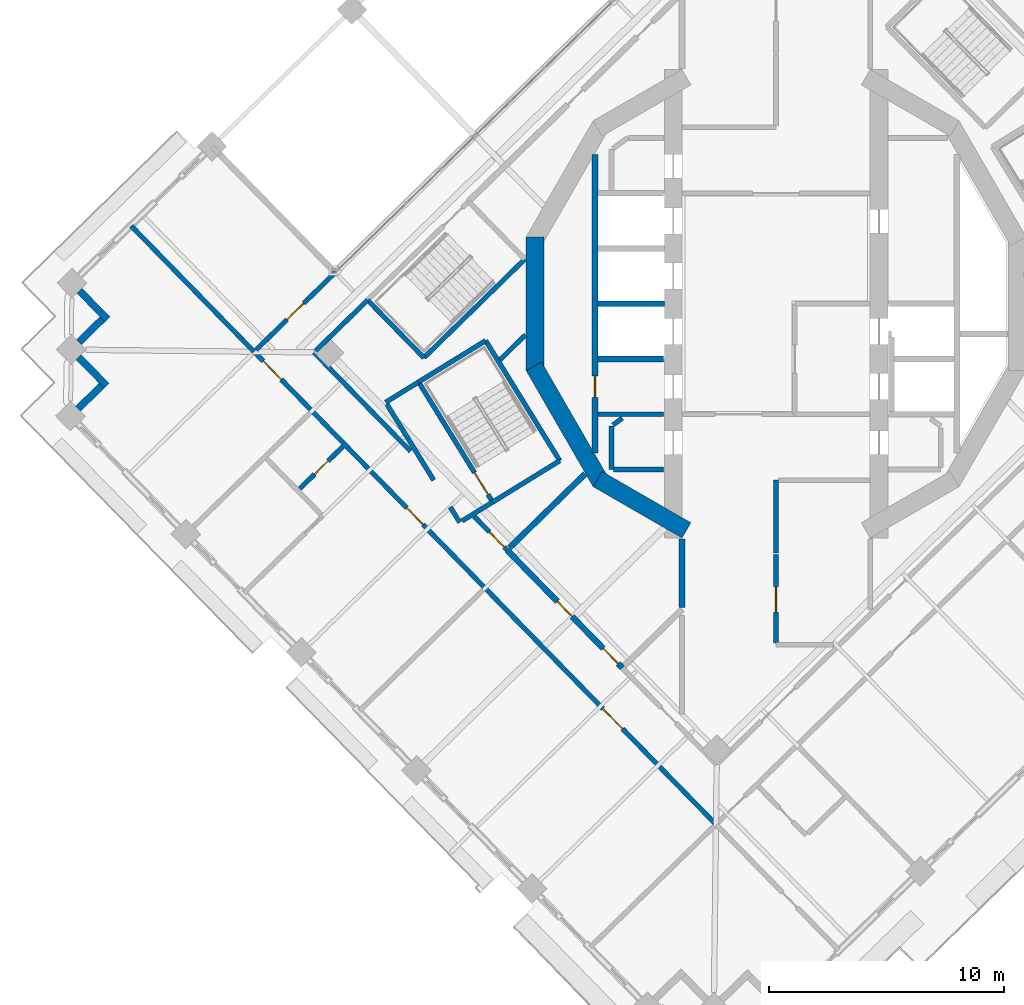
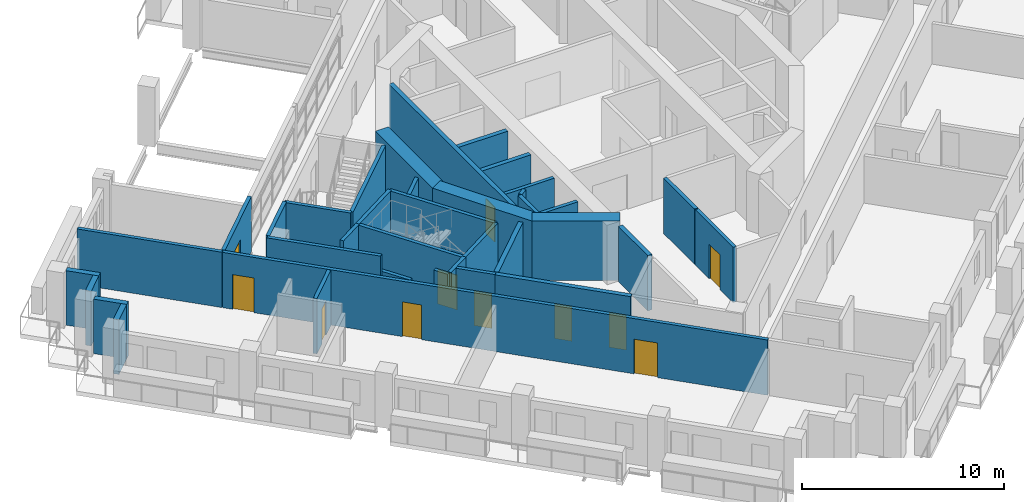
# One storey, part 8 of 21: 37 walls, 11 doors, 11 openings.
"""IFC4 building model written with IfcOpenShell, lengths in metres."""

import ifcopenshell
import ifcopenshell.guid

model = None  # the IFC model being written
_history = None  # IfcOwnerHistory: only IFC2X3 demands one
_inside = {}  # id of a spatial element -> (the spatial element, [elements in it])
_under = {}  # id of a project, library or spatial element -> (it, [spatial elements below it])
_declared = {}  # id of a project -> (the project, [libraries it declares])
_typed = {}  # id of a type object -> (the type object, [elements of that type])
_made_of = {}  # id of a material, layer set ... -> (it, [elements and type objects made of it])


def new_model(schema):
    """Start an empty IFC model of exactly this schema.

    Asked for "IFC4X3", IfcOpenShell would pick the latest addendum, in which some entities
    have other attributes; the version numbers below select the first issue.
    IFC2X3 requires an IfcOwnerHistory on every rooted entity: one is made here for all.
    """
    global model, _history
    if schema == "IFC4X3":
        model = ifcopenshell.file(schema_version=(4, 3, 0, 0))
    else:
        model = ifcopenshell.file(schema=schema)
    _inside.clear()
    _under.clear()
    _declared.clear()
    _typed.clear()
    _made_of.clear()
    _history = None
    if model.schema == "IFC2X3":
        org = make("IfcOrganization", Name="unknown")
        user = make(
            "IfcPersonAndOrganization",
            ThePerson=make("IfcPerson", FamilyName="unknown"),
            TheOrganization=org,
        )
        app = make(
            "IfcApplication",
            ApplicationDeveloper=org,
            Version="unknown",
            ApplicationFullName="unknown",
            ApplicationIdentifier="unknown",
        )
        _history = make(
            "IfcOwnerHistory",
            OwningUser=user,
            OwningApplication=app,
            ChangeAction="ADDED",
            CreationDate=0,
        )
    return model


def make(cls, **values):
    """One entity of the class cls with the attributes given. An attribute that is None is left unset."""
    return model.create_entity(
        cls, **{name: value for name, value in values.items() if value is not None}
    )


def rooted(cls, **values):
    """An entity with a GlobalId (a new one), such as an element, a storey or a relation."""
    return make(cls, GlobalId=ifcopenshell.guid.new(), OwnerHistory=_history, **values)


def si_unit(unit_type, name, prefix=None):
    """IfcSIUnit, for example si_unit("LENGTHUNIT", "METRE", prefix="MILLI")."""
    return make("IfcSIUnit", UnitType=unit_type, Prefix=prefix, Name=name)


def assignment(units):
    """IfcUnitAssignment: the units of a project."""
    return None if units is None else make("IfcUnitAssignment", Units=units)


def point(xyz):
    """IfcCartesianPoint."""
    return None if xyz is None else make("IfcCartesianPoint", Coordinates=xyz)


def direction(xyz):
    """IfcDirection."""
    return None if xyz is None else make("IfcDirection", DirectionRatios=xyz)


def frame(location, z_axis=None, x_axis=None):
    """IfcAxis2Placement3D, a coordinate frame: its origin and axes. An axis left out is left unset."""
    return make(
        "IfcAxis2Placement3D",
        Location=point(location),
        Axis=direction(z_axis),
        RefDirection=direction(x_axis),
    )


def frame_2d(location, x_axis=None):
    """IfcAxis2Placement2D, a coordinate frame in the plane: its origin and x axis."""
    return make(
        "IfcAxis2Placement2D", Location=point(location), RefDirection=direction(x_axis)
    )


def origin():
    """The frame at (0, 0, 0) with its axes left unset."""
    return frame((0.0, 0.0, 0.0))


def place(relative_to, where):
    """IfcLocalPlacement: puts the frame where relative to a parent placement (None: the world)."""
    return make(
        "IfcLocalPlacement", PlacementRelTo=relative_to, RelativePlacement=where
    )


def context(
    kind, dimensions, precision=None, world=None, true_north=None, identifier=None
):
    """IfcGeometricRepresentationContext, for example the 3D "Model" context."""
    return make(
        "IfcGeometricRepresentationContext",
        ContextIdentifier=identifier,
        ContextType=kind,
        CoordinateSpaceDimension=dimensions,
        Precision=precision,
        WorldCoordinateSystem=world,
        TrueNorth=true_north,
    )


def subcontext(parent, identifier, kind, view, scale=None):
    """IfcGeometricRepresentationSubContext, for example "Body" below "Model"."""
    return make(
        "IfcGeometricRepresentationSubContext",
        ContextIdentifier=identifier,
        ContextType=kind,
        ParentContext=parent,
        TargetScale=scale,
        TargetView=view,
    )


def project(units=None, contexts=None):
    """IfcProject with its units and contexts."""
    return rooted(
        "IfcProject",
        Name="project",
        RepresentationContexts=contexts,
        UnitsInContext=assignment(units),
    )


def spatial(cls, under=None, at=None, **own):
    """A site, building, storey or space (cls), placed at a placement, below another one or the project."""
    s = rooted(cls, ObjectPlacement=at, **own)
    if under is not None:
        _under.setdefault(under.id(), (under, []))[1].append(s)
    return s


def profile(cls, at=None, kind="AREA", **sizes):
    """A parametric profile (cls). Its sizes go by their IFC names, for example OverallWidth=200.0."""
    return make(cls, ProfileType=kind, Position=at, **sizes)


def rectangle(**sizes):
    """IfcRectangleProfileDef."""
    return profile("IfcRectangleProfileDef", **sizes)


def extrude(swept, where, along, depth):
    """IfcExtrudedAreaSolid: the profile swept, set in the frame where, extruded along a direction by depth."""
    return make(
        "IfcExtrudedAreaSolid",
        SweptArea=swept,
        Position=where,
        ExtrudedDirection=direction(along),
        Depth=depth,
    )


def shape(context_of_items, identifier, shape_type, items):
    """IfcShapeRepresentation: the items that make up one representation, for example the "Body"."""
    return make(
        "IfcShapeRepresentation",
        ContextOfItems=context_of_items,
        RepresentationIdentifier=identifier,
        RepresentationType=shape_type,
        Items=items,
    )


def material(Name=None, Category=None):
    """IfcMaterial."""
    return make("IfcMaterial", Name=Name, Category=Category)


def layer(
    of_material, thickness, ventilated=None, Name=None, Category=None, Priority=None
):
    """IfcMaterialLayer: one layer of a wall or slab, of a material (None: an air gap)."""
    return make(
        "IfcMaterialLayer",
        Material=of_material,
        LayerThickness=thickness,
        IsVentilated=ventilated,
        Name=Name,
        Category=Category,
        Priority=Priority,
    )


def layer_set(layers, Name=None):
    """IfcMaterialLayerSet."""
    return make("IfcMaterialLayerSet", MaterialLayers=layers, LayerSetName=Name)


def made_of(thing, what):
    """Note that an element or type object is made of a material, layer set ...; save() writes the relation."""
    if what is not None:
        _made_of.setdefault(what.id(), (what, []))[1].append(thing)
    return thing


def type_object(cls, material=None, **own):
    """A type object (cls), such as IfcWallType, which elements share."""
    return made_of(rooted(cls, **own), material)


def element(
    cls,
    number,
    at=None,
    inside=None,
    cuts=None,
    type_object=None,
    material=None,
    context=None,
    identifier="Body",
    shape_type=None,
    held_by="IfcProductDefinitionShape",
    body=None,
    shapes=None,
    **own,
):
    """One element of the class cls, such as IfcWall. Its Tag is "e" and its number.

    at: its placement. inside: the storey or other place that contains it. cuts: it is an
    opening in that element (IfcRelVoidsElement). A single representation is given by context,
    identifier, shape_type and body (its items); several are given by shapes. held_by: the class
    of the entity that holds the representations. save() writes the other relations.
    """
    e = rooted(cls, Tag="e%d" % number, ObjectPlacement=at, **own)
    if body is not None:
        shapes = [shape(context, identifier, shape_type, body)]
    if shapes is not None:
        e.Representation = make(held_by, Representations=shapes)
    if inside is not None:
        _inside.setdefault(inside.id(), (inside, []))[1].append(e)
    if cuts is not None:
        rooted(
            "IfcRelVoidsElement", RelatingBuildingElement=cuts, RelatedOpeningElement=e
        )
    if type_object is not None:
        _typed.setdefault(type_object.id(), (type_object, []))[1].append(e)
    return made_of(e, material)


def fill(opening, filler):
    """IfcRelFillsElement: the door or window that sits in an opening."""
    return rooted(
        "IfcRelFillsElement",
        RelatingOpeningElement=opening,
        RelatedBuildingElement=filler,
    )


def aggregate(whole, parts):
    """IfcRelAggregates: a whole, such as a stair, and the parts it consists of."""
    return rooted("IfcRelAggregates", RelatingObject=whole, RelatedObjects=parts)


def save(model, path):
    """Write the relations noted so far, then the file.

    IfcRelAggregates (storeys below a building ...), IfcRelContainedInSpatialStructure (elements
    in a storey), IfcRelDefinesByType, IfcRelAssociatesMaterial and IfcRelDeclares: one each for
    every whole, place, type object, material and project.
    """
    for whole, parts in _under.values():
        aggregate(whole, parts)
    for where, things in _inside.values():
        rooted(
            "IfcRelContainedInSpatialStructure",
            RelatedElements=things,
            RelatingStructure=where,
        )
    for kind, things in _typed.values():
        rooted("IfcRelDefinesByType", RelatedObjects=things, RelatingType=kind)
    for what, things in _made_of.values():
        rooted("IfcRelAssociatesMaterial", RelatedObjects=things, RelatingMaterial=what)
    for by, libraries in _declared.values():
        rooted("IfcRelDeclares", RelatingContext=by, RelatedDefinitions=libraries)
    model.write(path)


model = new_model("IFC4")

# Units and contexts
model_context = context("Model", 3, precision=1e-05, world=origin(), true_north=direction((0.0, 1.0)))
body_context = subcontext(model_context, "Body", "Model", "MODEL_VIEW")
ifc_project = project(units=[si_unit("LENGTHUNIT", "METRE"), si_unit("AREAUNIT", "SQUARE_METRE"), si_unit("VOLUMEUNIT", "CUBIC_METRE"), si_unit("PLANEANGLEUNIT", "RADIAN"), si_unit("MASSUNIT", "GRAM", prefix="KILO")], contexts=[model_context])

# Site, building, storey
site_placement = place(None, origin())
site = spatial("IfcSite", under=ifc_project, at=site_placement, CompositionType="ELEMENT")
building_placement = place(site_placement, origin())
building = spatial("IfcBuilding", under=site, at=building_placement, Name="Cantera Rosa Tower", CompositionType="ELEMENT")
storey_placement = place(building_placement, frame((0.0, 0.0, 230.60009765625)))
storey = spatial("IfcBuildingStorey", under=building, at=storey_placement, Name="L50", CompositionType="ELEMENT", Elevation=230.60009765625)

# Wall
ifc_material_1 = material(Name="Gypsum board partition")
ifc_layer_1 = layer(ifc_material_1, 0.199951171875)
ifc_layer_set_1 = layer_set([ifc_layer_1], Name="CORRIDOR WALL 200 H2300")
wall_type_1 = type_object("IfcWallType", Name="CORRIDOR WALL 200 H2300", PredefinedType="PARTITIONING", material=ifc_layer_set_1)
wall_1_placement = place(storey_placement, frame((-16.548095703125, -4.274658203125, 0.0), z_axis=(0.0, 0.0, 1.0), x_axis=(0.524970357961, -0.851120510423, 0.0)))
element("IfcWall", 1, at=wall_1_placement, inside=storey, type_object=wall_type_1, Name="CORRIDOR WALL L50-011", PredefinedType="PARTITIONING", context=body_context, shape_type="SweptSolid", body=[
    extrude(rectangle(XDim=3.790771484375, YDim=0.199951171875, at=frame_2d((1.8955078125, 0.0))), origin(), (0.0, 0.0, 1.0), 2.2998046875),
])

# Wall, openings, doors
ifc_material_2 = material(Name="Gypsum board partition")
ifc_layer_2 = layer(ifc_material_2, 0.199951171875)
ifc_layer_set_2 = layer_set([ifc_layer_2], Name="CORRIDOR WALL 200 H3350")
wall_type_2 = type_object("IfcWallType", Name="CORRIDOR WALL 200 H3350", PredefinedType="PARTITIONING", material=ifc_layer_set_2)
wall_2_placement = place(storey_placement, frame((-22.17919921875, -2.05419921875, 0.0), z_axis=(0.0, 0.0, 1.0), x_axis=(0.698829646007, -0.715288141844, 0.0)))
wall_2 = element("IfcWall", 2, at=wall_2_placement, inside=storey, type_object=wall_type_2, Name="CORRIDOR WALL L50-004", PredefinedType="PARTITIONING", context=body_context, shape_type="SweptSolid", body=[
    extrude(rectangle(XDim=28.080322265625, YDim=0.199951171875, at=frame_2d((14.0400390625, 0.0))), origin(), (0.0, 0.0, 1.0), 3.349853515625),
])
opening_1_placement = place(wall_2_placement, frame((21.199951171875, 0.0, 0.0)))
opening_1 = element("IfcOpeningElement", 3, at=opening_1_placement, cuts=wall_2, Name="Opening L50-038", PredefinedType="OPENING", context=body_context, shape_type="SweptSolid", body=[
    extrude(rectangle(XDim=1.199951171875, YDim=2.10009765625, at=frame_2d((0.60009765625, 1.050048828125))), frame((0.0, 0.10986328125, 0.0), z_axis=(0.0, -1.0, 0.0), x_axis=(1.0, 0.0, 0.0)), (0.0, 0.0, 1.0), 0.219970703125),
])
opening_2_placement = place(wall_2_placement, frame((9.264892578125, 0.0, 0.0)))
opening_2 = element("IfcOpeningElement", 4, at=opening_2_placement, cuts=wall_2, Name="Opening L50-039", PredefinedType="OPENING", context=body_context, shape_type="SweptSolid", body=[
    extrude(rectangle(XDim=1.0, YDim=2.10009765625, at=frame_2d((0.5, 1.050048828125))), frame((0.0, 0.10986328125, 0.0), z_axis=(0.0, -1.0, 0.0), x_axis=(1.0, 0.0, 0.0)), (0.0, 0.0, 1.0), 0.219970703125),
])
opening_3_placement = place(wall_2_placement, frame((0.530029296875, 0.0, 0.0)))
opening_3 = element("IfcOpeningElement", 5, at=opening_3_placement, cuts=wall_2, Name="Opening L50-042", PredefinedType="OPENING", context=body_context, shape_type="SweptSolid", body=[
    extrude(rectangle(XDim=1.10009765625, YDim=2.10009765625, at=frame_2d((0.550048828125, 1.050048828125))), frame((0.0, 0.10986328125, 0.0), z_axis=(0.0, -1.0, 0.0), x_axis=(1.0, 0.0, 0.0)), (0.0, 0.0, 1.0), 0.219970703125),
])
ifc_material_3 = material(Name="Timber door leaf", Category="wood")
door_type_1 = type_object("IfcDoorType", Name="ENTRANCE DOOR 1000x2100", OperationType="NOTDEFINED", PredefinedType="DOOR", material=ifc_material_3)
door_1_placement = place(opening_2_placement, origin())
door_1 = element("IfcDoor", 6, at=door_1_placement, inside=storey, type_object=door_type_1, Name="DOOR L50-039", OperationType="NOTDEFINED", OverallHeight=2.10009765625, OverallWidth=1.0, PredefinedType="DOOR", context=body_context, shape_type="SweptSolid", body=[
    extrude(rectangle(XDim=1.0, YDim=2.10009765625, at=frame_2d((0.5, 1.050048828125))), frame((0.0, 0.02490234375, 0.0), z_axis=(0.0, -1.0, 0.0), x_axis=(1.0, 0.0, 0.0)), (0.0, 0.0, 1.0), 0.050048828125),
])
fill(opening_2, door_1)
ifc_material_4 = material(Name="Timber door leaf", Category="wood")
door_type_2 = type_object("IfcDoorType", Name="ROOM DOOR 1100x2100", OperationType="NOTDEFINED", PredefinedType="DOOR", material=ifc_material_4)
door_2_placement = place(opening_3_placement, origin())
door_2 = element("IfcDoor", 7, at=door_2_placement, inside=storey, type_object=door_type_2, Name="DOOR L50-042", OperationType="NOTDEFINED", OverallHeight=2.10009765625, OverallWidth=1.10009765625, PredefinedType="DOOR", context=body_context, shape_type="SweptSolid", body=[
    extrude(rectangle(XDim=1.10009765625, YDim=2.10009765625, at=frame_2d((0.550048828125, 1.050048828125))), frame((0.0, 0.02490234375, 0.0), z_axis=(0.0, -1.0, 0.0), x_axis=(1.0, 0.0, 0.0)), (0.0, 0.0, 1.0), 0.050048828125),
])
fill(opening_3, door_2)
ifc_material_5 = material(Name="Timber door leaf", Category="wood")
door_type_3 = type_object("IfcDoorType", Name="ROOM DOOR 1200x2100", OperationType="NOTDEFINED", PredefinedType="DOOR", material=ifc_material_5)
door_3_placement = place(opening_1_placement, origin())
door_3 = element("IfcDoor", 8, at=door_3_placement, inside=storey, type_object=door_type_3, Name="DOOR L50-038", OperationType="NOTDEFINED", OverallHeight=2.10009765625, OverallWidth=1.199951171875, PredefinedType="DOOR", context=body_context, shape_type="SweptSolid", body=[
    extrude(rectangle(XDim=1.199951171875, YDim=2.10009765625, at=frame_2d((0.60009765625, 1.050048828125))), frame((0.0, 0.02490234375, 0.0), z_axis=(0.0, -1.0, 0.0), x_axis=(1.0, 0.0, 0.0)), (0.0, 0.0, 1.0), 0.050048828125),
])
fill(opening_1, door_3)

# Walls
wall_3_placement = place(storey_placement, frame((-19.647705078125, -2.069580078125, 0.0), z_axis=(0.0, 0.0, 1.0), x_axis=(0.698845926006, -0.715272236079, 0.0)))
element("IfcWall", 9, at=wall_3_placement, inside=storey, type_object=wall_type_2, Name="CORRIDOR WALL L50-005", PredefinedType="PARTITIONING", context=body_context, shape_type="SweptSolid", body=[
    extrude(rectangle(XDim=5.870849609375, YDim=0.199951171875, at=frame_2d((2.935546875, 0.0))), origin(), (0.0, 0.0, 1.0), 3.349853515625),
])
wall_4_placement = place(storey_placement, frame((-17.36962890625, 0.156005859375, 0.0), z_axis=(0.0, 0.0, 1.0), x_axis=(-0.715289693103, -0.69882805821, 0.0)))
element("IfcWall", 10, at=wall_4_placement, inside=storey, type_object=wall_type_2, Name="CORRIDOR WALL L50-009", PredefinedType="PARTITIONING", context=body_context, shape_type="SweptSolid", body=[
    extrude(rectangle(XDim=3.084716796875, YDim=0.199951171875, at=frame_2d((1.54248046875, 0.0))), origin(), (0.0, 0.0, 1.0), 3.349853515625),
])
wall_5_placement = place(storey_placement, frame((-16.6005859375, -4.189697265625, 0.0), z_axis=(0.0, 0.0, 1.0), x_axis=(0.8510360128, 0.525107327047, 0.0)))
element("IfcWall", 11, at=wall_5_placement, inside=storey, type_object=wall_type_2, Name="CORRIDOR WALL L50-010", PredefinedType="PARTITIONING", context=body_context, shape_type="SweptSolid", body=[
    extrude(rectangle(XDim=1.64501953125, YDim=0.199951171875, at=frame_2d((0.822509765625, 0.0))), origin(), (0.0, 0.0, 1.0), 3.349853515625),
])
wall_6_placement = place(storey_placement, frame((-13.8525390625, -8.64501953125, 0.0), z_axis=(0.0, 0.0, 1.0), x_axis=(0.52482706305, -0.851208877944, 0.0)))
element("IfcWall", 12, at=wall_6_placement, inside=storey, type_object=wall_type_2, Name="CORRIDOR WALL L50-012", PredefinedType="PARTITIONING", context=body_context, shape_type="SweptSolid", body=[
    extrude(rectangle(XDim=0.76513671875, YDim=0.199951171875, at=frame_2d((0.382568359375, 0.0))), origin(), (0.0, 0.0, 1.0), 3.349853515625),
])
wall_7_placement = place(storey_placement, frame((-13.3486328125, -9.2333984375, 0.0), z_axis=(0.0, 0.0, 1.0), x_axis=(0.851042101438, 0.525097459126, 0.0)))
element("IfcWall", 13, at=wall_7_placement, inside=storey, type_object=wall_type_2, Name="CORRIDOR WALL L50-015", PredefinedType="PARTITIONING", context=body_context, shape_type="SweptSolid", body=[
    extrude(rectangle(XDim=1.52490234375, YDim=0.199951171875, at=frame_2d((0.762451171875, 0.0))), origin(), (0.0, 0.0, 1.0), 3.349853515625),
])

# Wall, opening, door
wall_8_placement = place(storey_placement, frame((-12.828125, -9.0498046875, 0.0), z_axis=(0.0, 0.0, 1.0), x_axis=(0.698907294962, -0.715212271322, 0.0)))
wall_8 = element("IfcWall", 14, at=wall_8_placement, inside=storey, type_object=wall_type_2, Name="CORRIDOR WALL L50-017", PredefinedType="PARTITIONING", context=body_context, shape_type="SweptSolid", body=[
    extrude(rectangle(XDim=1.991455078125, YDim=0.199951171875, at=frame_2d((0.99560546875, 0.0))), origin(), (0.0, 0.0, 1.0), 3.349853515625),
])
opening_4_placement = place(wall_8_placement, frame((0.908203125, 0.0, 0.0)))
opening_4 = element("IfcOpeningElement", 15, at=opening_4_placement, cuts=wall_8, Name="Opening L50-009", PredefinedType="OPENING", context=body_context, shape_type="SweptSolid", body=[
    extrude(rectangle(XDim=0.89990234375, YDim=2.10009765625, at=frame_2d((0.449951171875, 1.050048828125))), frame((0.0, 0.10986328125, 0.0), z_axis=(0.0, -1.0, 0.0), x_axis=(1.0, 0.0, 0.0)), (0.0, 0.0, 1.0), 0.219970703125),
])
ifc_material_6 = material(Name="Timber door leaf", Category="wood")
door_type_4 = type_object("IfcDoorType", Name="SERVICE DOOR 900x2100", OperationType="NOTDEFINED", PredefinedType="DOOR", material=ifc_material_6)
door_4_placement = place(opening_4_placement, origin())
door_4 = element("IfcDoor", 16, at=door_4_placement, inside=storey, type_object=door_type_4, Name="DOOR L50-009", OperationType="NOTDEFINED", OverallHeight=2.10009765625, OverallWidth=0.89990234375, PredefinedType="DOOR", context=body_context, shape_type="SweptSolid", body=[
    extrude(rectangle(XDim=0.89990234375, YDim=2.10009765625, at=frame_2d((0.449951171875, 1.050048828125))), frame((0.0, 0.02490234375, 0.0), z_axis=(0.0, -1.0, 0.0), x_axis=(1.0, 0.0, 0.0)), (0.0, 0.0, 1.0), 0.050048828125),
])
fill(opening_4, door_4)

wall_9_placement = place(storey_placement, frame((0.0, -10.6552734375, 0.0), z_axis=(0.0, 0.0, 1.0), x_axis=(0.0, -1.0, 0.0)))
wall_9 = element("IfcWall", 17, at=wall_9_placement, inside=storey, type_object=wall_type_2, Name="CORRIDOR WALL L50-057", PredefinedType="PARTITIONING", context=body_context, shape_type="SweptSolid", body=[
    extrude(rectangle(XDim=3.7646484375, YDim=0.199951171875, at=frame_2d((1.88232421875, 0.0))), origin(), (0.0, 0.0, 1.0), 3.349853515625),
])
opening_5_placement = place(wall_9_placement, frame((1.372314453125, 0.0, 0.0)))
opening_5 = element("IfcOpeningElement", 18, at=opening_5_placement, cuts=wall_9, Name="Opening L50-019", PredefinedType="OPENING", context=body_context, shape_type="SweptSolid", body=[
    extrude(rectangle(XDim=1.10009765625, YDim=2.10009765625, at=frame_2d((0.550048828125, 1.050048828125))), frame((0.0, 0.10986328125, 0.0), z_axis=(0.0, -1.0, 0.0), x_axis=(1.0, 0.0, 0.0)), (0.0, 0.0, 1.0), 0.219970703125),
])
door_5_placement = place(opening_5_placement, origin())
door_5 = element("IfcDoor", 19, at=door_5_placement, inside=storey, type_object=door_type_2, Name="DOOR L50-019", OperationType="NOTDEFINED", OverallHeight=2.10009765625, OverallWidth=1.10009765625, PredefinedType="DOOR", context=body_context, shape_type="SweptSolid", body=[
    extrude(rectangle(XDim=1.10009765625, YDim=2.10009765625, at=frame_2d((0.550048828125, 1.050048828125))), frame((0.0, 0.02490234375, 0.0), z_axis=(0.0, -1.0, 0.0), x_axis=(1.0, 0.0, 0.0)), (0.0, 0.0, 1.0), 0.050048828125),
])
fill(opening_5, door_5)

# Wall
wall_10_placement = place(storey_placement, frame((0.0, -7.5, 0.0), z_axis=(0.0, 0.0, 1.0), x_axis=(0.0, -1.0, 0.0)))
element("IfcWall", 20, at=wall_10_placement, inside=storey, type_object=wall_type_2, Name="CORRIDOR WALL L50-058", PredefinedType="PARTITIONING", context=body_context, shape_type="SweptSolid", body=[
    extrude(rectangle(XDim=3.09521484375, YDim=0.199951171875, at=frame_2d((1.547607421875, 0.0))), origin(), (0.0, 0.0, 1.0), 3.349853515625),
])

# Wall, opening, door
wall_11_placement = place(storey_placement, frame((-18.656005859375, 1.415771484375, 0.0), z_axis=(0.0, 0.0, 1.0), x_axis=(-0.715256178236, -0.698862360908, 0.0)))
wall_11 = element("IfcWall", 21, at=wall_11_placement, inside=storey, type_object=wall_type_2, Name="CORRIDOR WALL L50-069", PredefinedType="PARTITIONING", context=body_context, shape_type="SweptSolid", body=[
    extrude(rectangle(XDim=4.8251953125, YDim=0.199951171875, at=frame_2d((2.41259765625, 0.0))), origin(), (0.0, 0.0, 1.0), 3.349853515625),
])
opening_6_placement = place(wall_11_placement, frame((1.9951171875, 0.0, 0.0)))
opening_6 = element("IfcOpeningElement", 22, at=opening_6_placement, cuts=wall_11, Name="Opening L50-037", PredefinedType="OPENING", context=body_context, shape_type="SweptSolid", body=[
    extrude(rectangle(XDim=1.0, YDim=2.10009765625, at=frame_2d((0.5, 1.050048828125))), frame((0.0, 0.10986328125, 0.0), z_axis=(0.0, -1.0, 0.0), x_axis=(1.0, 0.0, 0.0)), (0.0, 0.0, 1.0), 0.219970703125),
])
ifc_material_7 = material(Name="Timber door leaf", Category="wood")
door_type_5 = type_object("IfcDoorType", Name="ROOM DOOR 1000x2100", OperationType="NOTDEFINED", PredefinedType="DOOR", material=ifc_material_7)
door_6_placement = place(opening_6_placement, origin())
door_6 = element("IfcDoor", 23, at=door_6_placement, inside=storey, type_object=door_type_5, Name="DOOR L50-037", OperationType="NOTDEFINED", OverallHeight=2.10009765625, OverallWidth=1.0, PredefinedType="DOOR", context=body_context, shape_type="SweptSolid", body=[
    extrude(rectangle(XDim=1.0, YDim=2.10009765625, at=frame_2d((0.5, 1.050048828125))), frame((0.0, 0.02490234375, 0.0), z_axis=(0.0, -1.0, 0.0), x_axis=(1.0, 0.0, 0.0)), (0.0, 0.0, 1.0), 0.050048828125),
])
fill(opening_6, door_6)

# Walls
ifc_material_8 = material(Name="Hollow clay masonry with cantera stone cladding", Category="masonry")
ifc_layer_3 = layer(ifc_material_8, 0.300048828125)
ifc_layer_set_3 = layer_set([ifc_layer_3], Name="EW-LOGGIA 300")
wall_type_3 = type_object("IfcWallType", Name="EW-LOGGIA 300", PredefinedType="SOLIDWALL", material=ifc_layer_set_3)
wall_12_placement = place(storey_placement, frame((-29.623291015625, 0.556884765625, 0.0), z_axis=(0.0, 0.0, 1.0), x_axis=(0.69880105094, -0.715316077832, 0.0)))
element("IfcWall", 24, at=wall_12_placement, inside=storey, type_object=wall_type_3, Name="EN-L50-W12a", PredefinedType="SOLIDWALL", context=body_context, shape_type="SweptSolid", body=[
    extrude(rectangle(XDim=1.699951171875, YDim=0.300048828125, at=frame_2d((0.85009765625, 0.0))), origin(), (0.0, 0.0, 1.0), 3.2998046875),
])
wall_13_placement = place(storey_placement, frame((-28.6474609375, -0.65673828125, 0.0), z_axis=(0.0, 0.0, 1.0), x_axis=(-0.715341715727, -0.698774806172, 0.0)))
element("IfcWall", 25, at=wall_13_placement, inside=storey, type_object=wall_type_3, Name="EN-L50-W12b", PredefinedType="SOLIDWALL", context=body_context, shape_type="SweptSolid", body=[
    extrude(rectangle(XDim=1.39990234375, YDim=0.300048828125, at=frame_2d((0.699951171875, 0.0))), origin(), (0.0, 0.0, 1.0), 3.2998046875),
])
wall_14_placement = place(storey_placement, frame((-29.65625, -2.271484375, 0.0), z_axis=(0.0, 0.0, 1.0), x_axis=(0.698872839675, -0.715245939495, 0.0)))
element("IfcWall", 26, at=wall_14_placement, inside=storey, type_object=wall_type_3, Name="EN-L50-W13a", PredefinedType="SOLIDWALL", context=body_context, shape_type="SweptSolid", body=[
    extrude(rectangle(XDim=1.699951171875, YDim=0.300048828125, at=frame_2d((0.85009765625, 0.0))), origin(), (0.0, 0.0, 1.0), 3.2998046875),
])
wall_15_placement = place(storey_placement, frame((-28.680419921875, -3.48486328125, 0.0), z_axis=(0.0, 0.0, 1.0), x_axis=(-0.71516937164, -0.698951192766, 0.0)))
element("IfcWall", 27, at=wall_15_placement, inside=storey, type_object=wall_type_3, Name="EN-L50-W13b", PredefinedType="SOLIDWALL", context=body_context, shape_type="SweptSolid", body=[
    extrude(rectangle(XDim=1.39990234375, YDim=0.300048828125, at=frame_2d((0.699951171875, 0.0))), origin(), (0.0, 0.0, 1.0), 3.2998046875),
])
ifc_material_9 = material(Name="Gypsum board partition")
ifc_layer_4 = layer(ifc_material_9, 0.199951171875)
ifc_layer_set_4 = layer_set([ifc_layer_4], Name="PARTITION 200 H3350")
wall_type_4 = type_object("IfcWallType", Name="PARTITION 200 H3350", PredefinedType="PARTITIONING", material=ifc_layer_set_4)
wall_16_placement = place(storey_placement, frame((-22.193115234375, -2.0400390625, 0.0), z_axis=(0.0, 0.0, 1.0), x_axis=(-0.69882275932, 0.715294870006, 0.0)))
element("IfcWall", 28, at=wall_16_placement, inside=storey, type_object=wall_type_4, Name="PARTITION L50-003", PredefinedType="PARTITIONING", context=body_context, shape_type="SweptSolid", body=[
    extrude(rectangle(XDim=7.469970703125, YDim=0.199951171875, at=frame_2d((3.73486328125, 0.0))), origin(), (0.0, 0.0, 1.0), 3.349853515625),
])

# Wall, opening, door
wall_17_placement = place(storey_placement, frame((-18.42138671875, -6.072265625, 0.0), z_axis=(0.0, 0.0, 1.0), x_axis=(-0.715260872502, -0.698857556493, 0.0)))
wall_17 = element("IfcWall", 29, at=wall_17_placement, inside=storey, type_object=wall_type_4, Name="PARTITION L50-008", PredefinedType="PARTITIONING", context=body_context, shape_type="SweptSolid", body=[
    extrude(rectangle(XDim=2.56005859375, YDim=0.199951171875, at=frame_2d((1.280029296875, 0.0))), origin(), (0.0, 0.0, 1.0), 3.349853515625),
])
opening_7_placement = place(wall_17_placement, frame((0.8798828125, 0.0, 0.0)))
opening_7 = element("IfcOpeningElement", 30, at=opening_7_placement, cuts=wall_17, Name="Opening L50-040", PredefinedType="OPENING", context=body_context, shape_type="SweptSolid", body=[
    extrude(rectangle(XDim=0.800048828125, YDim=2.10009765625, at=frame_2d((0.39990234375, 1.050048828125))), frame((0.0, 0.10986328125, 0.0), z_axis=(0.0, -1.0, 0.0), x_axis=(1.0, 0.0, 0.0)), (0.0, 0.0, 1.0), 0.219970703125),
])
ifc_material_10 = material(Name="Timber door leaf", Category="wood")
door_type_6 = type_object("IfcDoorType", Name="BATHROOM DOOR 800x2100", OperationType="NOTDEFINED", PredefinedType="DOOR", material=ifc_material_10)
door_7_placement = place(opening_7_placement, origin())
door_7 = element("IfcDoor", 31, at=door_7_placement, inside=storey, type_object=door_type_6, Name="DOOR L50-040", OperationType="NOTDEFINED", OverallHeight=2.10009765625, OverallWidth=0.800048828125, PredefinedType="DOOR", context=body_context, shape_type="SweptSolid", body=[
    extrude(rectangle(XDim=0.800048828125, YDim=2.10009765625, at=frame_2d((0.39990234375, 1.050048828125))), frame((0.0, 0.02490234375, 0.0), z_axis=(0.0, -1.0, 0.0), x_axis=(1.0, 0.0, 0.0)), (0.0, 0.0, 1.0), 0.050048828125),
])
fill(opening_7, door_7)

# Walls
wall_18_placement = place(storey_placement, frame((-11.73486328125, -2.377685546875, 0.0), z_axis=(0.0, 0.0, 1.0), x_axis=(0.715227626276, 0.698891581443, 0.0)))
element("IfcWall", 32, at=wall_18_placement, inside=storey, type_object=wall_type_4, Name="PARTITION L50-022", PredefinedType="PARTITIONING", context=body_context, shape_type="SweptSolid", body=[
    extrude(rectangle(XDim=1.509521484375, YDim=0.199951171875, at=frame_2d((0.7548828125, 0.0))), origin(), (0.0, 0.0, 1.0), 3.349853515625),
])
wall_19_placement = place(storey_placement, frame((-7.0, -7.050048828125, 0.0), z_axis=(0.0, 0.0, 1.0), x_axis=(0.0, 1.0, 0.0)))
element("IfcWall", 33, at=wall_19_placement, inside=storey, type_object=wall_type_4, Name="PARTITION L50-035", PredefinedType="PARTITIONING", context=body_context, shape_type="SweptSolid", body=[
    extrude(rectangle(XDim=1.85009765625, YDim=0.199951171875, at=frame_2d((0.925048828125, 0.0))), origin(), (0.0, 0.0, 1.0), 3.349853515625),
])
wall_20_placement = place(storey_placement, frame((-6.935302734375, -5.15283203125, 0.0), z_axis=(0.0, 0.0, 1.0), x_axis=(0.808368872862, 0.588676282338, 0.0)))
element("IfcWall", 34, at=wall_20_placement, inside=storey, type_object=wall_type_4, Name="PARTITION L50-036", PredefinedType="PARTITIONING", context=body_context, shape_type="SweptSolid", body=[
    extrude(rectangle(XDim=0.489013671875, YDim=0.199951171875, at=frame_2d((0.24462890625, 0.0))), origin(), (0.0, 0.0, 1.0), 3.349853515625),
])
wall_21_placement = place(storey_placement, frame((-4.780029296875, -7.050048828125, 0.0), z_axis=(0.0, 0.0, 1.0), x_axis=(-1.0, 0.0, 0.0)))
element("IfcWall", 35, at=wall_21_placement, inside=storey, type_object=wall_type_4, Name="PARTITION L50-043", PredefinedType="PARTITIONING", context=body_context, shape_type="SweptSolid", body=[
    extrude(rectangle(XDim=2.139892578125, YDim=0.199951171875, at=frame_2d((1.06982421875, 0.0))), origin(), (0.0, 0.0, 1.0), 3.349853515625),
])
wall_22_placement = place(storey_placement, frame((-4.780029296875, -4.699951171875, 0.0), z_axis=(0.0, 0.0, 1.0), x_axis=(-1.0, 0.0, 0.0)))
element("IfcWall", 36, at=wall_22_placement, inside=storey, type_object=wall_type_4, Name="PARTITION L50-044", PredefinedType="PARTITIONING", context=body_context, shape_type="SweptSolid", body=[
    extrude(rectangle(XDim=2.794921875, YDim=0.199951171875, at=frame_2d((1.3974609375, 0.0))), origin(), (0.0, 0.0, 1.0), 3.349853515625),
])
ifc_material_11 = material(Name="Concrete C60/75", Category="concrete")
ifc_layer_5 = layer(ifc_material_11, 0.75)
ifc_layer_set_5 = layer_set([ifc_layer_5], Name="RC CORE WALL 750 C60/75")
wall_type_5 = type_object("IfcWallType", Name="RC CORE WALL 750 C60/75", PredefinedType="SHEAR", material=ifc_layer_set_5)
wall_23_placement = place(storey_placement, frame((-3.8125, -9.634765625, 0.0), z_axis=(0.0, 0.0, 1.0), x_axis=(-0.866013176292, 0.50002117804, 0.0)))
element("IfcWall", 37, at=wall_23_placement, inside=storey, type_object=wall_type_5, Name="CW-W1 L50", PredefinedType="SHEAR", context=body_context, shape_type="SweptSolid", body=[
    extrude(rectangle(XDim=4.362548828125, YDim=0.75, at=frame_2d((2.18115234375, 0.0))), origin(), (0.0, 0.0, 1.0), 3.599853515625),
])
wall_24_placement = place(storey_placement, frame((-7.453369140625, -7.590576171875, 0.0), z_axis=(0.0, 0.0, 1.0), x_axis=(-0.500021842983, 0.866012792365, 0.0)))
element("IfcWall", 38, at=wall_24_placement, inside=storey, type_object=wall_type_5, Name="CW-W2 L50", PredefinedType="SHEAR", context=body_context, shape_type="SweptSolid", body=[
    extrude(rectangle(XDim=5.694091796875, YDim=0.75, at=frame_2d((2.84716796875, 0.0))), origin(), (0.0, 0.0, 1.0), 3.599853515625),
])
wall_25_placement = place(storey_placement, frame((-10.250244140625, -2.846923828125, 0.0), z_axis=(0.0, 0.0, 1.0), x_axis=(0.0, 1.0, 0.0)))
element("IfcWall", 39, at=wall_25_placement, inside=storey, type_object=wall_type_5, Name="CW-W3 L50", PredefinedType="SHEAR", context=body_context, shape_type="SweptSolid", body=[
    extrude(rectangle(XDim=5.69384765625, YDim=0.75, at=frame_2d((2.846923828125, 0.0))), origin(), (0.0, 0.0, 1.0), 3.599853515625),
])

# Wall, openings, doors
ifc_material_12 = material(Name="Masonry blockwork", Category="masonry")
ifc_layer_6 = layer(ifc_material_12, 0.25)
ifc_layer_set_6 = layer_set([ifc_layer_6], Name="SHAFT WALL 250 H3350")
wall_type_6 = type_object("IfcWallType", Name="SHAFT WALL 250 H3350", PredefinedType="SOLIDWALL", material=ifc_layer_set_6)
wall_26_placement = place(storey_placement, frame((-11.42236328125, -10.488525390625, 0.0), z_axis=(0.0, 0.0, 1.0), x_axis=(0.698839423539, -0.715278589158, 0.0)))
wall_26 = element("IfcWall", 40, at=wall_26_placement, inside=storey, type_object=wall_type_6, Name="SHAFT WALL L50-023", PredefinedType="SOLIDWALL", context=body_context, shape_type="SweptSolid", body=[
    extrude(rectangle(XDim=6.97998046875, YDim=0.25, at=frame_2d((3.489990234375, 0.0))), origin(), (0.0, 0.0, 1.0), 3.349853515625),
])
opening_8_placement = place(wall_26_placement, frame((5.830078125, 0.0, 0.0)))
opening_8 = element("IfcOpeningElement", 41, at=opening_8_placement, cuts=wall_26, Name="Opening L50-010", PredefinedType="OPENING", context=body_context, shape_type="SweptSolid", body=[
    extrude(rectangle(XDim=0.89990234375, YDim=2.10009765625, at=frame_2d((0.449951171875, 1.050048828125))), frame((0.0, 0.135009765625, 0.0), z_axis=(0.0, -1.0, 0.0), x_axis=(1.0, 0.0, 0.0)), (0.0, 0.0, 1.0), 0.27001953125),
])
opening_9_placement = place(wall_26_placement, frame((3.030029296875, 0.0, 0.0)))
opening_9 = element("IfcOpeningElement", 42, at=opening_9_placement, cuts=wall_26, Name="Opening L50-052", PredefinedType="OPENING", context=body_context, shape_type="SweptSolid", body=[
    extrude(rectangle(XDim=0.89990234375, YDim=2.10009765625, at=frame_2d((0.449951171875, 1.050048828125))), frame((0.0, 0.135009765625, 0.0), z_axis=(0.0, -1.0, 0.0), x_axis=(1.0, 0.0, 0.0)), (0.0, 0.0, 1.0), 0.27001953125),
])
door_8_placement = place(opening_8_placement, origin())
door_8 = element("IfcDoor", 43, at=door_8_placement, inside=storey, type_object=door_type_4, Name="RISER DOOR L50-010", OperationType="NOTDEFINED", OverallHeight=2.10009765625, OverallWidth=0.89990234375, PredefinedType="DOOR", context=body_context, shape_type="SweptSolid", body=[
    extrude(rectangle(XDim=0.89990234375, YDim=2.10009765625, at=frame_2d((0.449951171875, 1.050048828125))), frame((0.0, 0.02490234375, 0.0), z_axis=(0.0, -1.0, 0.0), x_axis=(1.0, 0.0, 0.0)), (0.0, 0.0, 1.0), 0.050048828125),
])
fill(opening_8, door_8)
door_9_placement = place(opening_9_placement, origin())
door_9 = element("IfcDoor", 44, at=door_9_placement, inside=storey, type_object=door_type_4, Name="RISER DOOR L50-052", OperationType="NOTDEFINED", OverallHeight=2.10009765625, OverallWidth=0.89990234375, PredefinedType="DOOR", context=body_context, shape_type="SweptSolid", body=[
    extrude(rectangle(XDim=0.89990234375, YDim=2.10009765625, at=frame_2d((0.449951171875, 1.050048828125))), frame((0.0, 0.02490234375, 0.0), z_axis=(0.0, -1.0, 0.0), x_axis=(1.0, 0.0, 0.0)), (0.0, 0.0, 1.0), 0.050048828125),
])
fill(opening_9, door_9)

# Walls
wall_27_placement = place(storey_placement, frame((-8.12451171875, -7.238525390625, 0.0), z_axis=(0.0, 0.0, 1.0), x_axis=(-0.715269352267, -0.698848877589, 0.0)))
element("IfcWall", 45, at=wall_27_placement, inside=storey, type_object=wall_type_6, Name="SHAFT WALL L50-027", PredefinedType="SOLIDWALL", context=body_context, shape_type="SweptSolid", body=[
    extrude(rectangle(XDim=4.490234375, YDim=0.25, at=frame_2d((2.2451171875, 0.0))), origin(), (0.0, 0.0, 1.0), 3.349853515625),
])
wall_28_placement = place(storey_placement, frame((-7.574951171875, -2.35009765625, 0.0), z_axis=(0.0, 0.0, 1.0), x_axis=(1.0, 0.0, 0.0)))
element("IfcWall", 46, at=wall_28_placement, inside=storey, type_object=wall_type_6, Name="SHAFT WALL L50-029", PredefinedType="SOLIDWALL", context=body_context, shape_type="SweptSolid", body=[
    extrude(rectangle(XDim=2.794921875, YDim=0.25, at=frame_2d((1.3974609375, 0.0))), origin(), (0.0, 0.0, 1.0), 3.349853515625),
])
wall_29_placement = place(storey_placement, frame((-7.574951171875, 0.0, 0.0), z_axis=(0.0, 0.0, 1.0), x_axis=(1.0, 0.0, 0.0)))
element("IfcWall", 47, at=wall_29_placement, inside=storey, type_object=wall_type_6, Name="SHAFT WALL L50-030", PredefinedType="SOLIDWALL", context=body_context, shape_type="SweptSolid", body=[
    extrude(rectangle(XDim=2.824951171875, YDim=0.25, at=frame_2d((1.41259765625, 0.0))), origin(), (0.0, 0.0, 1.0), 3.349853515625),
])

# Wall, opening, door
wall_30_placement = place(storey_placement, frame((-7.699951171875, 6.353515625, 0.0), z_axis=(0.0, 0.0, 1.0), x_axis=(0.0, -1.0, 0.0)))
wall_30 = element("IfcWall", 48, at=wall_30_placement, inside=storey, type_object=wall_type_6, Name="SHAFT WALL L50-033", PredefinedType="SOLIDWALL", context=body_context, shape_type="SweptSolid", body=[
    extrude(rectangle(XDim=12.70703125, YDim=0.25, at=frame_2d((6.353515625, 0.0))), origin(), (0.0, 0.0, 1.0), 3.349853515625),
])
opening_10_placement = place(wall_30_placement, frame((9.4287109375, 0.0, 0.0)))
opening_10 = element("IfcOpeningElement", 49, at=opening_10_placement, cuts=wall_30, Name="Opening L50-053", PredefinedType="OPENING", context=body_context, shape_type="SweptSolid", body=[
    extrude(rectangle(XDim=0.89990234375, YDim=2.10009765625, at=frame_2d((0.449951171875, 1.050048828125))), frame((0.0, 0.135009765625, 0.0), z_axis=(0.0, -1.0, 0.0), x_axis=(1.0, 0.0, 0.0)), (0.0, 0.0, 1.0), 0.27001953125),
])
door_10_placement = place(opening_10_placement, origin())
door_10 = element("IfcDoor", 50, at=door_10_placement, inside=storey, type_object=door_type_4, Name="RISER DOOR L50-053", OperationType="NOTDEFINED", OverallHeight=2.10009765625, OverallWidth=0.89990234375, PredefinedType="DOOR", context=body_context, shape_type="SweptSolid", body=[
    extrude(rectangle(XDim=0.89990234375, YDim=2.10009765625, at=frame_2d((0.449951171875, 1.050048828125))), frame((0.0, 0.02490234375, 0.0), z_axis=(0.0, -1.0, 0.0), x_axis=(1.0, 0.0, 0.0)), (0.0, 0.0, 1.0), 0.050048828125),
])
fill(opening_10, door_10)

# Walls
wall_31_placement = place(storey_placement, frame((-4.0, -9.994140625, 0.0), z_axis=(0.0, 0.0, 1.0), x_axis=(0.0, -1.0, 0.0)))
element("IfcWall", 51, at=wall_31_placement, inside=storey, type_object=wall_type_6, Name="SHAFT WALL L50-047", PredefinedType="SOLIDWALL", context=body_context, shape_type="SweptSolid", body=[
    extrude(rectangle(XDim=2.921142578125, YDim=0.25, at=frame_2d((1.46044921875, 0.0))), origin(), (0.0, 0.0, 1.0), 3.349853515625),
])
ifc_material_13 = material(Name="Concrete C50/60", Category="concrete")
ifc_layer_7 = layer(ifc_material_13, 0.199951171875)
ifc_layer_set_7 = layer_set([ifc_layer_7], Name="STAIR WALL 200 H3350")
wall_type_7 = type_object("IfcWallType", Name="STAIR WALL 200 H3350", PredefinedType="SOLIDWALL", material=ifc_layer_set_7)
wall_32_placement = place(storey_placement, frame((-15.20068359375, -3.325927734375, 0.0), z_axis=(0.0, 0.0, 1.0), x_axis=(0.85113993661, 0.524938861495, 0.0)))
element("IfcWall", 52, at=wall_32_placement, inside=storey, type_object=wall_type_7, Name="STAIR WALL L50-013", PredefinedType="SOLIDWALL", context=body_context, shape_type="SweptSolid", body=[
    extrude(rectangle(XDim=3.35009765625, YDim=0.199951171875, at=frame_2d((1.675048828125, 0.0))), origin(), (0.0, 0.0, 1.0), 3.349853515625),
])
wall_33_placement = place(storey_placement, frame((-14.975341796875, -2.294677734375, 0.0), z_axis=(0.0, 0.0, 1.0), x_axis=(-0.698828566482, 0.715289196527, 0.0)))
element("IfcWall", 53, at=wall_33_placement, inside=storey, type_object=wall_type_7, Name="STAIR WALL L50-014", PredefinedType="SOLIDWALL", context=body_context, shape_type="SweptSolid", body=[
    extrude(rectangle(XDim=3.426025390625, YDim=0.199951171875, at=frame_2d((1.712890625, 0.0))), origin(), (0.0, 0.0, 1.0), 3.349853515625),
])
wall_34_placement = place(storey_placement, frame((-12.349365234375, -1.5673828125, 0.0), z_axis=(0.0, 0.0, 1.0), x_axis=(0.524982543144, -0.851112994493, 0.0)))
element("IfcWall", 54, at=wall_34_placement, inside=storey, type_object=wall_type_7, Name="STAIR WALL L50-019", PredefinedType="SOLIDWALL", context=body_context, shape_type="SweptSolid", body=[
    extrude(rectangle(XDim=6.0, YDim=0.199951171875, at=frame_2d((3.0, 0.0))), origin(), (0.0, 0.0, 1.0), 3.349853515625),
])

# Wall, opening, door
wall_35_placement = place(storey_placement, frame((-12.05078125, -8.4326171875, 0.0), z_axis=(0.0, 0.0, 1.0), x_axis=(-0.524982543144, 0.851112994493, 0.0)))
wall_35 = element("IfcWall", 55, at=wall_35_placement, inside=storey, type_object=wall_type_7, Name="STAIR WALL L50-020", PredefinedType="SOLIDWALL", context=body_context, shape_type="SweptSolid", body=[
    extrude(rectangle(XDim=6.0, YDim=0.199951171875, at=frame_2d((3.0, 0.0))), origin(), (0.0, 0.0, 1.0), 3.349853515625),
])
opening_11_placement = place(wall_35_placement, frame((0.375, 0.0, 0.0)))
opening_11 = element("IfcOpeningElement", 56, at=opening_11_placement, cuts=wall_35, Name="Opening L50-005", PredefinedType="OPENING", context=body_context, shape_type="SweptSolid", body=[
    extrude(rectangle(XDim=1.10009765625, YDim=2.10009765625, at=frame_2d((0.550048828125, 1.050048828125))), frame((0.0, 0.10986328125, 0.0), z_axis=(0.0, -1.0, 0.0), x_axis=(1.0, 0.0, 0.0)), (0.0, 0.0, 1.0), 0.219970703125),
])
ifc_material_14 = material(Name="Steel S355J2 (EN 10025-2)", Category="steel")
door_type_7 = type_object("IfcDoorType", Name="STAIR DOOR 1100x2100", OperationType="NOTDEFINED", PredefinedType="DOOR", material=ifc_material_14)
door_11_placement = place(opening_11_placement, origin())
door_11 = element("IfcDoor", 57, at=door_11_placement, inside=storey, type_object=door_type_7, Name="DOOR L50-005", OperationType="NOTDEFINED", OverallHeight=2.10009765625, OverallWidth=1.10009765625, PredefinedType="DOOR", context=body_context, shape_type="SweptSolid", body=[
    extrude(rectangle(XDim=1.10009765625, YDim=2.10009765625, at=frame_2d((0.550048828125, 1.050048828125))), frame((0.0, 0.02490234375, 0.0), z_axis=(0.0, -1.0, 0.0), x_axis=(1.0, 0.0, 0.0)), (0.0, 0.0, 1.0), 0.050048828125),
])
fill(opening_11, door_11)

# Walls
wall_36_placement = place(storey_placement, frame((-12.05078125, -8.4326171875, 0.0), z_axis=(0.0, 0.0, 1.0), x_axis=(0.85113993661, 0.524938861495, 0.0)))
element("IfcWall", 58, at=wall_36_placement, inside=storey, type_object=wall_type_7, Name="STAIR WALL L50-021", PredefinedType="SOLIDWALL", context=body_context, shape_type="SweptSolid", body=[
    extrude(rectangle(XDim=3.35009765625, YDim=0.199951171875, at=frame_2d((1.675048828125, 0.0))), origin(), (0.0, 0.0, 1.0), 3.349853515625),
])
wall_37_placement = place(storey_placement, frame((-10.68359375, 1.8984375, 0.0), z_axis=(0.0, 0.0, 1.0), x_axis=(-0.715278260946, -0.698839759471, 0.0)))
element("IfcWall", 59, at=wall_37_placement, inside=storey, type_object=wall_type_7, Name="STAIR WALL L50-024", PredefinedType="SOLIDWALL", context=body_context, shape_type="SweptSolid", body=[
    extrude(rectangle(XDim=6.0, YDim=0.199951171875, at=frame_2d((3.0, 0.0))), origin(), (0.0, 0.0, 1.0), 3.349853515625),
])

save(model, "model.ifc")
